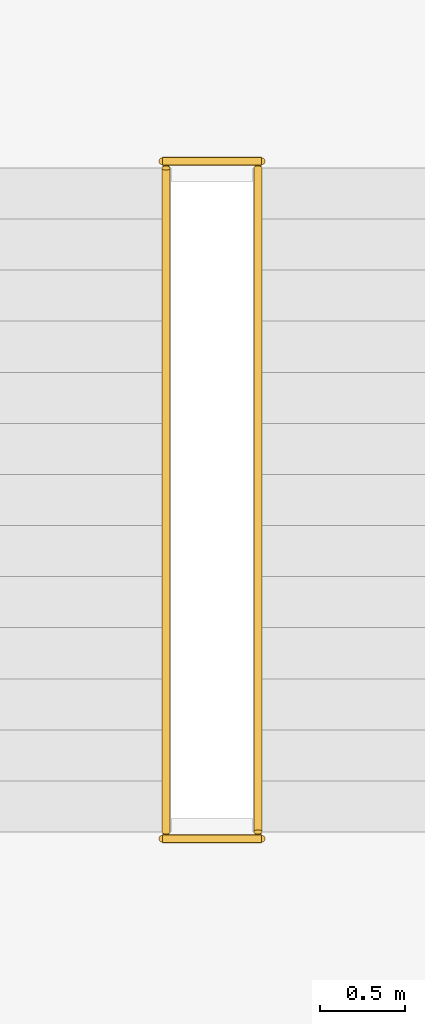
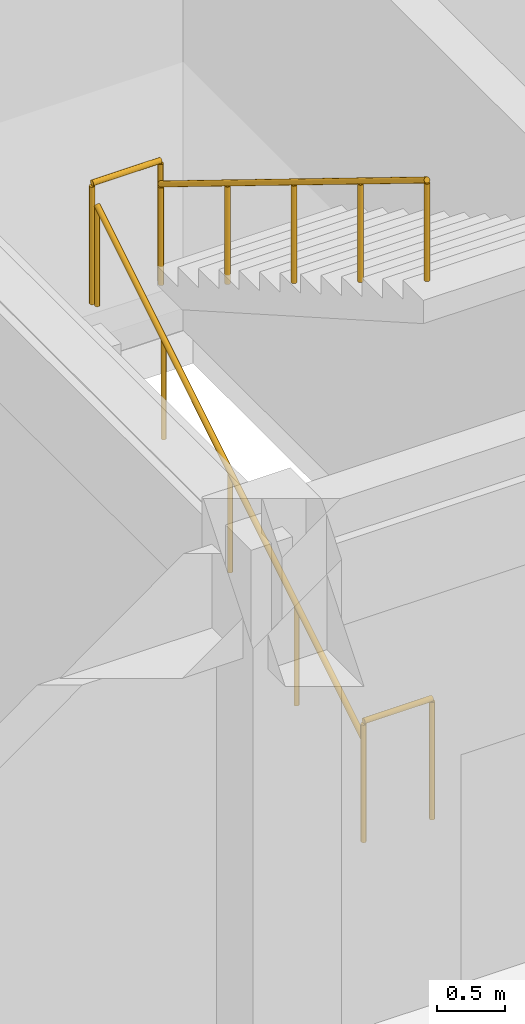
# One storey, part 169 of 175: 4 railings.
"""IFC4 building model written with IfcOpenShell, lengths in metres."""

from ifc_helpers import new_model, si_unit, direction, frame, origin, origin_2d, place, context, subcontext, project, spatial, circle, hollow_circle, extrude, material, material_profile, profile_set, type_object, element, save


model = new_model("IFC4")

# Units and contexts
model_context = context("Model", 3, precision=1e-05, world=origin(), true_north=direction((0.0, 1.0)))
body_context = subcontext(model_context, "Body", "Model", "MODEL_VIEW")
ifc_project = project(units=[si_unit("LENGTHUNIT", "METRE"), si_unit("AREAUNIT", "SQUARE_METRE"), si_unit("VOLUMEUNIT", "CUBIC_METRE"), si_unit("PLANEANGLEUNIT", "RADIAN"), si_unit("MASSUNIT", "GRAM", prefix="KILO")], contexts=[model_context])

# Site, building, storey
site_placement = place(None, origin())
site = spatial("IfcSite", under=ifc_project, at=site_placement, CompositionType="ELEMENT")
building_placement = place(site_placement, origin())
building = spatial("IfcBuilding", under=site, at=building_placement, Name="Zizhar Promenade General Hospital", CompositionType="ELEMENT")
storey_placement = place(building_placement, frame((0.0, 0.0, 4.800048828125)))
storey = spatial("IfcBuildingStorey", under=building, at=storey_placement, Name="L01", CompositionType="ELEMENT", Elevation=4.800048828125)

# Railings
ifc_material_1 = material(Name="Anodised aluminium 6063-T6", Category="aluminium")
ifc_material_profile_1 = material_profile(ifc_material_1, hollow_circle(Radius=0.06982421875, WallThickness=0.00634765625, at=origin_2d()))
ifc_profile_set_1 = profile_set([ifc_material_profile_1], Name="Anodised aluminium 6063-T6")
railing_type_1 = type_object("IfcRailingType", Name="RL-HANDRAIL-920", PredefinedType="HANDRAIL", material=ifc_profile_set_1)
railing_1_placement = place(storey_placement, frame((48.699951171875, 10.35009765625, 0.0)))
element("IfcRailing", 1, at=railing_1_placement, inside=storey, type_object=railing_type_1, Name="Stair ST-02 Flight 1 Handrail (L01)", PredefinedType="HANDRAIL", context=body_context, shape_type="SweptSolid", body=[
    extrude(circle(Radius=0.02392578125, at=origin_2d()), frame((0.0, 0.0, 0.89599609375), z_axis=(0.0, 0.851661977835, 0.524091476281), x_axis=(-1.0, 0.0, 0.0)), (0.0, 0.0, 1.0), 4.5791015625),
    extrude(circle(Radius=0.02099609375, at=origin_2d()), origin(), (0.0, 0.0, 1.0), 0.871826171875),
    extrude(circle(Radius=0.02099609375, at=origin_2d()), frame((0.0, 0.97509765625, 0.60009765625)), (0.0, 0.0, 1.0), 0.871826171875),
    extrude(circle(Radius=0.02099609375, at=origin_2d()), frame((0.0, 1.949951171875, 1.199951171875)), (0.0, 0.0, 1.0), 0.871826171875),
    extrude(circle(Radius=0.02099609375, at=origin_2d()), frame((0.0, 2.9248046875, 1.7998046875)), (0.0, 0.0, 1.0), 0.871826171875),
    extrude(circle(Radius=0.02099609375, at=origin_2d()), frame((0.0, 3.89990234375, 2.39990234375)), (0.0, 0.0, 1.0), 0.871826171875),
])
railing_2_placement = place(storey_placement, frame((49.239990234375, 14.25, 2.39990234375)))
element("IfcRailing", 2, at=railing_2_placement, inside=storey, type_object=railing_type_1, Name="Stair ST-02 Flight 2 Handrail (L01)", PredefinedType="HANDRAIL", context=body_context, shape_type="SweptSolid", body=[
    extrude(circle(Radius=0.02392578125, at=origin_2d()), frame((0.0, 0.0, 0.89599609375), z_axis=(0.0, -0.851638180308, 0.5241301459), x_axis=(1.0, 0.0, 0.0)), (0.0, 0.0, 1.0), 4.579345703125),
    extrude(circle(Radius=0.02099609375, at=origin_2d()), origin(), (0.0, 0.0, 1.0), 0.871826171875),
    extrude(circle(Radius=0.02099609375, at=origin_2d()), frame((0.0, -0.97509765625, 0.60009765625)), (0.0, 0.0, 1.0), 0.871826171875),
    extrude(circle(Radius=0.02099609375, at=origin_2d()), frame((0.0, -1.949951171875, 1.2001953125)), (0.0, 0.0, 1.0), 0.871826171875),
    extrude(circle(Radius=0.02099609375, at=origin_2d()), frame((0.0, -2.9248046875, 1.800048828125)), (0.0, 0.0, 1.0), 0.871826171875),
    extrude(circle(Radius=0.02099609375, at=origin_2d()), frame((0.0, -3.89990234375, 2.400146484375)), (0.0, 0.0, 1.0), 0.871826171875),
])
ifc_material_2 = material(Name="Steel S355", Category="steel")
ifc_material_profile_2 = material_profile(ifc_material_2, hollow_circle(Radius=0.06982421875, WallThickness=0.00634765625, at=origin_2d()))
ifc_profile_set_2 = profile_set([ifc_material_profile_2], Name="Steel S355")
railing_type_2 = type_object("IfcRailingType", Name="RL-STAIR-GUARD-1100", PredefinedType="GUARDRAIL", material=ifc_profile_set_2)
for number, where, name in (
    (3, (48.679931640625, 14.2900390625, 2.39990234375), "Stair ST-02 Half-Landing Guard (L01)"),
    (4, (48.679931640625, 10.31005859375, 0.0), "Stair ST-02 Landing Well Guard (L01)"),
):
    element("IfcRailing", number, at=place(storey_placement, frame(where)), inside=storey, type_object=railing_type_2, Name=name, PredefinedType="GUARDRAIL", context=body_context, shape_type="SweptSolid", body=[
        extrude(circle(Radius=0.02392578125, at=origin_2d()), frame((0.0, 0.0, 1.076171875), z_axis=(1.0, 0.0, 0.0), x_axis=(0.0, 1.0, 0.0)), (0.0, 0.0, 1.0), 0.580078125),
        extrude(circle(Radius=0.02099609375, at=origin_2d()), origin(), (0.0, 0.0, 1.0), 1.052001953125),
        extrude(circle(Radius=0.02099609375, at=origin_2d()), frame((0.580078125, 0.0, 0.0)), (0.0, 0.0, 1.0), 1.052001953125),
    ])

save(model, "model.ifc")
